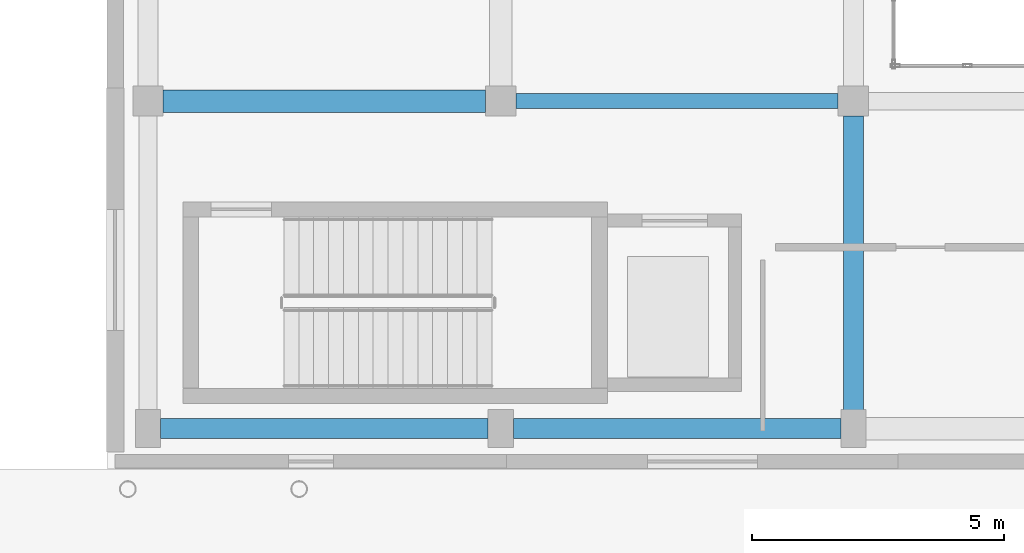
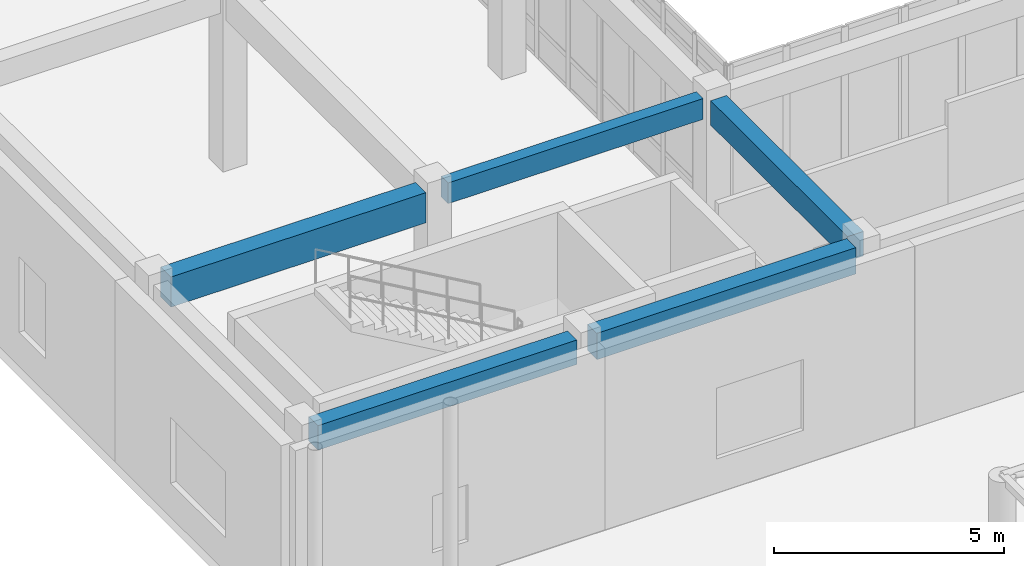
# One storey, part 45 of 121: 5 beams.
"""IFC4 building model written with IfcOpenShell, lengths in metres."""

import ifcopenshell
import ifcopenshell.guid

model = None  # the IFC model being written
_history = None  # IfcOwnerHistory: only IFC2X3 demands one
_inside = {}  # id of a spatial element -> (the spatial element, [elements in it])
_under = {}  # id of a project, library or spatial element -> (it, [spatial elements below it])
_declared = {}  # id of a project -> (the project, [libraries it declares])
_typed = {}  # id of a type object -> (the type object, [elements of that type])
_made_of = {}  # id of a material, layer set ... -> (it, [elements and type objects made of it])


def new_model(schema):
    """Start an empty IFC model of exactly this schema.

    Asked for "IFC4X3", IfcOpenShell would pick the latest addendum, in which some entities
    have other attributes; the version numbers below select the first issue.
    IFC2X3 requires an IfcOwnerHistory on every rooted entity: one is made here for all.
    """
    global model, _history
    if schema == "IFC4X3":
        model = ifcopenshell.file(schema_version=(4, 3, 0, 0))
    else:
        model = ifcopenshell.file(schema=schema)
    _inside.clear()
    _under.clear()
    _declared.clear()
    _typed.clear()
    _made_of.clear()
    _history = None
    if model.schema == "IFC2X3":
        org = make("IfcOrganization", Name="unknown")
        user = make(
            "IfcPersonAndOrganization",
            ThePerson=make("IfcPerson", FamilyName="unknown"),
            TheOrganization=org,
        )
        app = make(
            "IfcApplication",
            ApplicationDeveloper=org,
            Version="unknown",
            ApplicationFullName="unknown",
            ApplicationIdentifier="unknown",
        )
        _history = make(
            "IfcOwnerHistory",
            OwningUser=user,
            OwningApplication=app,
            ChangeAction="ADDED",
            CreationDate=0,
        )
    return model


def make(cls, **values):
    """One entity of the class cls with the attributes given. An attribute that is None is left unset."""
    return model.create_entity(
        cls, **{name: value for name, value in values.items() if value is not None}
    )


def rooted(cls, **values):
    """An entity with a GlobalId (a new one), such as an element, a storey or a relation."""
    return make(cls, GlobalId=ifcopenshell.guid.new(), OwnerHistory=_history, **values)


def si_unit(unit_type, name, prefix=None):
    """IfcSIUnit, for example si_unit("LENGTHUNIT", "METRE", prefix="MILLI")."""
    return make("IfcSIUnit", UnitType=unit_type, Prefix=prefix, Name=name)


def assignment(units):
    """IfcUnitAssignment: the units of a project."""
    return None if units is None else make("IfcUnitAssignment", Units=units)


def point(xyz):
    """IfcCartesianPoint."""
    return None if xyz is None else make("IfcCartesianPoint", Coordinates=xyz)


def direction(xyz):
    """IfcDirection."""
    return None if xyz is None else make("IfcDirection", DirectionRatios=xyz)


def frame(location, z_axis=None, x_axis=None):
    """IfcAxis2Placement3D, a coordinate frame: its origin and axes. An axis left out is left unset."""
    return make(
        "IfcAxis2Placement3D",
        Location=point(location),
        Axis=direction(z_axis),
        RefDirection=direction(x_axis),
    )


def frame_2d(location, x_axis=None):
    """IfcAxis2Placement2D, a coordinate frame in the plane: its origin and x axis."""
    return make(
        "IfcAxis2Placement2D", Location=point(location), RefDirection=direction(x_axis)
    )


def origin():
    """The frame at (0, 0, 0) with its axes left unset."""
    return frame((0.0, 0.0, 0.0))


def origin_2d():
    """The frame at (0, 0) in the plane with its x axis left unset."""
    return frame_2d((0.0, 0.0))


def place(relative_to, where):
    """IfcLocalPlacement: puts the frame where relative to a parent placement (None: the world)."""
    return make(
        "IfcLocalPlacement", PlacementRelTo=relative_to, RelativePlacement=where
    )


def context(
    kind, dimensions, precision=None, world=None, true_north=None, identifier=None
):
    """IfcGeometricRepresentationContext, for example the 3D "Model" context."""
    return make(
        "IfcGeometricRepresentationContext",
        ContextIdentifier=identifier,
        ContextType=kind,
        CoordinateSpaceDimension=dimensions,
        Precision=precision,
        WorldCoordinateSystem=world,
        TrueNorth=true_north,
    )


def subcontext(parent, identifier, kind, view, scale=None):
    """IfcGeometricRepresentationSubContext, for example "Body" below "Model"."""
    return make(
        "IfcGeometricRepresentationSubContext",
        ContextIdentifier=identifier,
        ContextType=kind,
        ParentContext=parent,
        TargetScale=scale,
        TargetView=view,
    )


def project(units=None, contexts=None):
    """IfcProject with its units and contexts."""
    return rooted(
        "IfcProject",
        Name="project",
        RepresentationContexts=contexts,
        UnitsInContext=assignment(units),
    )


def spatial(cls, under=None, at=None, **own):
    """A site, building, storey or space (cls), placed at a placement, below another one or the project."""
    s = rooted(cls, ObjectPlacement=at, **own)
    if under is not None:
        _under.setdefault(under.id(), (under, []))[1].append(s)
    return s


def profile(cls, at=None, kind="AREA", **sizes):
    """A parametric profile (cls). Its sizes go by their IFC names, for example OverallWidth=200.0."""
    return make(cls, ProfileType=kind, Position=at, **sizes)


def rectangle(**sizes):
    """IfcRectangleProfileDef."""
    return profile("IfcRectangleProfileDef", **sizes)


def extrude(swept, where, along, depth):
    """IfcExtrudedAreaSolid: the profile swept, set in the frame where, extruded along a direction by depth."""
    return make(
        "IfcExtrudedAreaSolid",
        SweptArea=swept,
        Position=where,
        ExtrudedDirection=direction(along),
        Depth=depth,
    )


def shape(context_of_items, identifier, shape_type, items):
    """IfcShapeRepresentation: the items that make up one representation, for example the "Body"."""
    return make(
        "IfcShapeRepresentation",
        ContextOfItems=context_of_items,
        RepresentationIdentifier=identifier,
        RepresentationType=shape_type,
        Items=items,
    )


def material(Name=None, Category=None):
    """IfcMaterial."""
    return make("IfcMaterial", Name=Name, Category=Category)


def material_profile(
    of_material, cross_section, Name=None, Category=None, Priority=None
):
    """IfcMaterialProfile: a cross section and its material."""
    return make(
        "IfcMaterialProfile",
        Name=Name,
        Material=of_material,
        Profile=cross_section,
        Priority=Priority,
        Category=Category,
    )


def profile_set(profiles, Name=None, composite=None):
    """IfcMaterialProfileSet."""
    return make(
        "IfcMaterialProfileSet",
        Name=Name,
        MaterialProfiles=profiles,
        CompositeProfile=composite,
    )


def made_of(thing, what):
    """Note that an element or type object is made of a material, layer set ...; save() writes the relation."""
    if what is not None:
        _made_of.setdefault(what.id(), (what, []))[1].append(thing)
    return thing


def type_object(cls, material=None, **own):
    """A type object (cls), such as IfcWallType, which elements share."""
    return made_of(rooted(cls, **own), material)


def element(
    cls,
    number,
    at=None,
    inside=None,
    cuts=None,
    type_object=None,
    material=None,
    context=None,
    identifier="Body",
    shape_type=None,
    held_by="IfcProductDefinitionShape",
    body=None,
    shapes=None,
    **own,
):
    """One element of the class cls, such as IfcWall. Its Tag is "e" and its number.

    at: its placement. inside: the storey or other place that contains it. cuts: it is an
    opening in that element (IfcRelVoidsElement). A single representation is given by context,
    identifier, shape_type and body (its items); several are given by shapes. held_by: the class
    of the entity that holds the representations. save() writes the other relations.
    """
    e = rooted(cls, Tag="e%d" % number, ObjectPlacement=at, **own)
    if body is not None:
        shapes = [shape(context, identifier, shape_type, body)]
    if shapes is not None:
        e.Representation = make(held_by, Representations=shapes)
    if inside is not None:
        _inside.setdefault(inside.id(), (inside, []))[1].append(e)
    if cuts is not None:
        rooted(
            "IfcRelVoidsElement", RelatingBuildingElement=cuts, RelatedOpeningElement=e
        )
    if type_object is not None:
        _typed.setdefault(type_object.id(), (type_object, []))[1].append(e)
    return made_of(e, material)


def aggregate(whole, parts):
    """IfcRelAggregates: a whole, such as a stair, and the parts it consists of."""
    return rooted("IfcRelAggregates", RelatingObject=whole, RelatedObjects=parts)


def save(model, path):
    """Write the relations noted so far, then the file.

    IfcRelAggregates (storeys below a building ...), IfcRelContainedInSpatialStructure (elements
    in a storey), IfcRelDefinesByType, IfcRelAssociatesMaterial and IfcRelDeclares: one each for
    every whole, place, type object, material and project.
    """
    for whole, parts in _under.values():
        aggregate(whole, parts)
    for where, things in _inside.values():
        rooted(
            "IfcRelContainedInSpatialStructure",
            RelatedElements=things,
            RelatingStructure=where,
        )
    for kind, things in _typed.values():
        rooted("IfcRelDefinesByType", RelatedObjects=things, RelatingType=kind)
    for what, things in _made_of.values():
        rooted("IfcRelAssociatesMaterial", RelatedObjects=things, RelatingMaterial=what)
    for by, libraries in _declared.values():
        rooted("IfcRelDeclares", RelatingContext=by, RelatedDefinitions=libraries)
    model.write(path)


model = new_model("IFC4")

# Units and contexts
model_context = context("Model", 3, precision=1e-05, world=origin(), true_north=direction((0.0, 1.0)))
body_context = subcontext(model_context, "Body", "Model", "MODEL_VIEW")
ifc_project = project(units=[si_unit("LENGTHUNIT", "METRE"), si_unit("AREAUNIT", "SQUARE_METRE"), si_unit("VOLUMEUNIT", "CUBIC_METRE"), si_unit("PLANEANGLEUNIT", "RADIAN"), si_unit("MASSUNIT", "GRAM", prefix="KILO")], contexts=[model_context])

# Site, building, storey
site_placement = place(None, origin())
site = spatial("IfcSite", under=ifc_project, at=site_placement, CompositionType="ELEMENT")
building_placement = place(site_placement, origin())
building = spatial("IfcBuilding", under=site, at=building_placement, Name="Valcora Specialist Clinic", CompositionType="ELEMENT")
storey_placement = place(building_placement, origin())
storey = spatial("IfcBuildingStorey", under=building, at=storey_placement, Name="L00", CompositionType="ELEMENT", Elevation=0.0)

# Beams
ifc_material = material(Name="Concrete C40/50", Category="concrete")
ifc_material_profile_1 = material_profile(ifc_material, rectangle(XDim=0.300048828125, YDim=0.550048828125, at=origin_2d()), Name="RC-BM-300X550")
ifc_profile_set_1 = profile_set([ifc_material_profile_1], Name="Concrete C40/50")
beam_type_1 = type_object("IfcBeamType", Name="TY-BM-RC300X550", PredefinedType="BEAM", material=ifc_profile_set_1)
beam_1_placement = place(storey_placement, frame((69.300048828125, 81.300048828125, 4.534912109375), z_axis=(1.0, 0.0, 0.0), x_axis=(0.0, 1.0, 0.0)))
element("IfcBeam", 1, at=beam_1_placement, inside=storey, type_object=beam_type_1, Name="Beam BM-L00-0541", PredefinedType="BEAM", context=body_context, shape_type="SweptSolid", body=[
    extrude(rectangle(XDim=0.300048828125, YDim=0.550048828125, at=origin_2d()), origin(), (0.0, 0.0, 1.0), 6.39990234375),
])
ifc_material_profile_2 = material_profile(ifc_material, rectangle(XDim=0.39990234375, YDim=0.64990234375, at=origin_2d()), Name="RC-BM-400X650")
ifc_profile_set_2 = profile_set([ifc_material_profile_2], Name="Concrete C40/50")
beam_type_2 = type_object("IfcBeamType", Name="TY-BM-RC400X650", PredefinedType="BEAM", material=ifc_profile_set_2)
beam_2_placement = place(storey_placement, frame((62.25, 74.800048828125, 4.485107421875), z_axis=(1.0, 0.0, 0.0), x_axis=(0.0, 1.0, 0.0)))
element("IfcBeam", 2, at=beam_2_placement, inside=storey, type_object=beam_type_2, Name="Beam BM-L00-0531", PredefinedType="BEAM", context=body_context, shape_type="SweptSolid", body=[
    extrude(rectangle(XDim=0.39990234375, YDim=0.64990234375, at=origin_2d()), origin(), (0.0, 0.0, 1.0), 6.5),
])
beam_3_placement = place(storey_placement, frame((76.0, 75.050048828125, 4.485107421875), z_axis=(0.0, 1.0, 0.0), x_axis=(-1.0, 0.0, 0.0)))
element("IfcBeam", 3, at=beam_3_placement, inside=storey, type_object=beam_type_2, Name="Beam BM-L00-0583", PredefinedType="BEAM", context=body_context, shape_type="SweptSolid", body=[
    extrude(rectangle(XDim=0.39990234375, YDim=0.64990234375, at=origin_2d()), origin(), (0.0, 0.0, 1.0), 5.949951171875),
])
ifc_material_profile_3 = material_profile(ifc_material, rectangle(XDim=0.39990234375, YDim=0.699951171875, at=origin_2d()), Name="RC-BM-400X700")
ifc_profile_set_3 = profile_set([ifc_material_profile_3], Name="Concrete C40/50")
beam_type_3 = type_object("IfcBeamType", Name="TY-BM-RC400X700", PredefinedType="BEAM", material=ifc_profile_set_3)
beam_4_placement = place(storey_placement, frame((69.25, 74.800048828125, 4.4599609375), z_axis=(1.0, 0.0, 0.0), x_axis=(0.0, 1.0, 0.0)))
element("IfcBeam", 4, at=beam_4_placement, inside=storey, type_object=beam_type_3, Name="Beam BM-L00-0532", PredefinedType="BEAM", context=body_context, shape_type="SweptSolid", body=[
    extrude(rectangle(XDim=0.39990234375, YDim=0.699951171875, at=origin_2d()), origin(), (0.0, 0.0, 1.0), 6.5),
])
ifc_material_profile_4 = material_profile(ifc_material, rectangle(XDim=0.449951171875, YDim=0.800048828125, at=origin_2d()), Name="RC-BM-450X800")
ifc_profile_set_4 = profile_set([ifc_material_profile_4], Name="Concrete C40/50")
beam_type_4 = type_object("IfcBeamType", Name="TY-BM-RC450X800", PredefinedType="BEAM", material=ifc_profile_set_4)
beam_5_placement = place(storey_placement, frame((62.300048828125, 81.300048828125, 4.409912109375), z_axis=(1.0, 0.0, 0.0), x_axis=(0.0, 1.0, 0.0)))
element("IfcBeam", 5, at=beam_5_placement, inside=storey, type_object=beam_type_4, Name="Beam BM-L00-0540", PredefinedType="BEAM", context=body_context, shape_type="SweptSolid", body=[
    extrude(rectangle(XDim=0.449951171875, YDim=0.800048828125, at=origin_2d()), origin(), (0.0, 0.0, 1.0), 6.39990234375),
])

save(model, "model.ifc")
